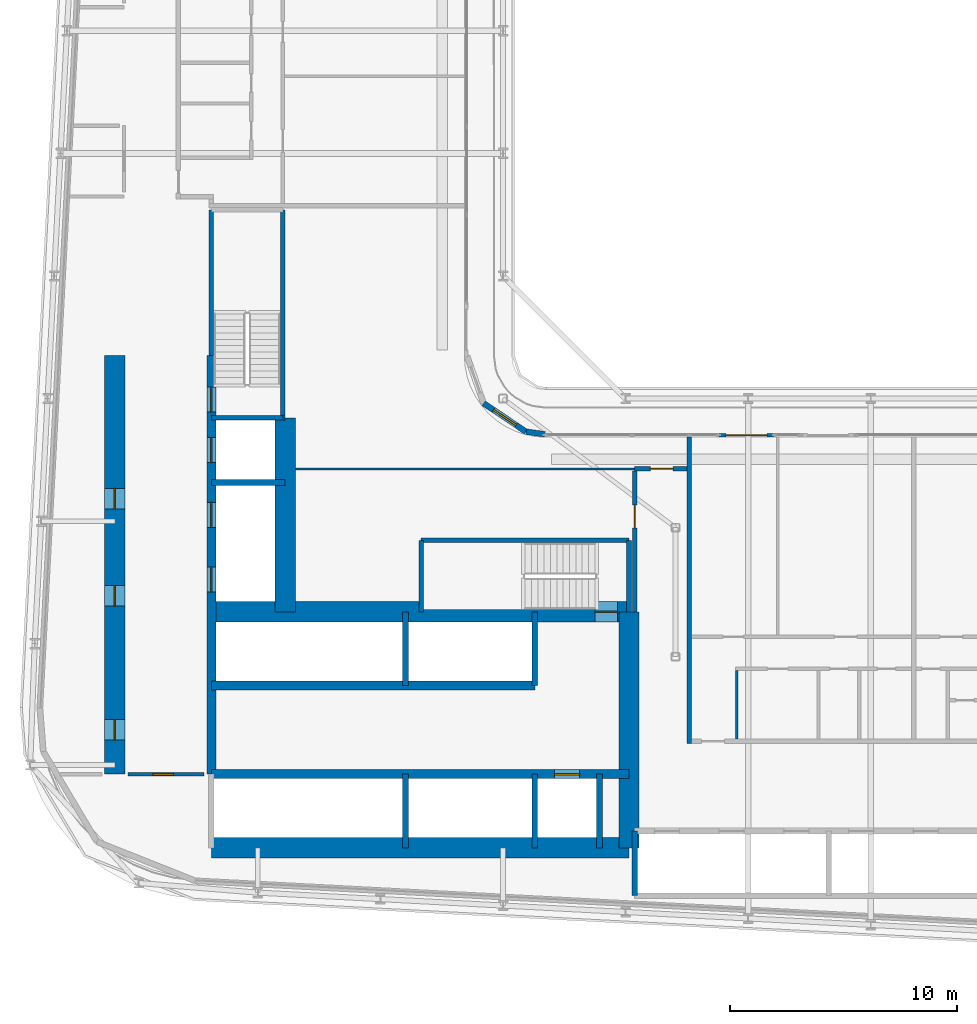
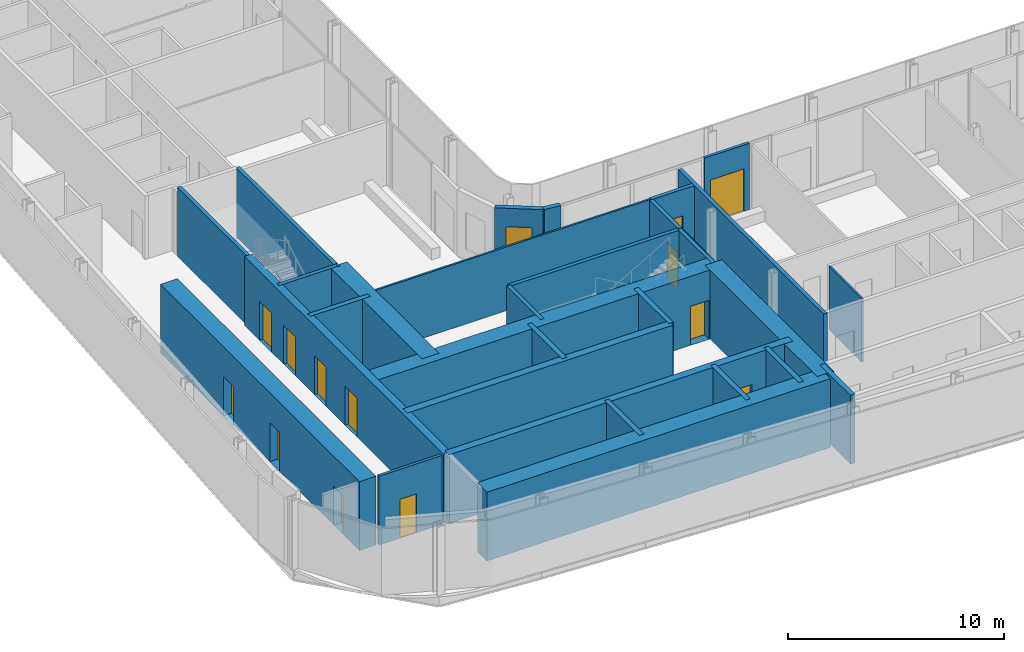
# One storey, part 13 of 28: 31 walls, 13 doors, 1 window, 14 openings.
"""IFC4 building model written with IfcOpenShell, lengths in metres."""

from ifc_helpers import new_model, si_unit, direction, frame, frame_2d, origin, place, context, subcontext, project, spatial, rectangle, extrude, source, transform, mapped, material, layer, layer_set, type_object, element, fill, save


model = new_model("IFC4")

# Units and contexts
model_context = context("Model", 3, precision=1e-05, world=origin(), true_north=direction((0.0, 1.0)))
body_context = subcontext(model_context, "Body", "Model", "MODEL_VIEW")
ifc_project = project(units=[si_unit("LENGTHUNIT", "METRE"), si_unit("AREAUNIT", "SQUARE_METRE"), si_unit("VOLUMEUNIT", "CUBIC_METRE"), si_unit("PLANEANGLEUNIT", "RADIAN"), si_unit("MASSUNIT", "GRAM", prefix="KILO")], contexts=[model_context])

# Site, building, storey
site_placement = place(None, origin())
site = spatial("IfcSite", under=ifc_project, at=site_placement, CompositionType="ELEMENT")
building_placement = place(site_placement, origin())
building = spatial("IfcBuilding", under=site, at=building_placement, Name="Kheshtan School and Residences Tower", CompositionType="ELEMENT")
storey_placement = place(building_placement, frame((0.0, 0.0, 129.199951171875)))
storey = spatial("IfcBuildingStorey", under=building, at=storey_placement, Name="L30", CompositionType="ELEMENT", Elevation=129.199951171875)

# Wall, opening, door
ifc_material_1 = material(Name="Concrete C50/60", Category="concrete")
ifc_layer_1 = layer(ifc_material_1, 0.39990234375)
ifc_layer_set_1 = layer_set([ifc_layer_1], Name="Core wall 400 Concrete C50/60")
wall_type_1 = type_object("IfcWallType", Name="Core wall 400 Concrete C50/60", PredefinedType="SHEAR", material=ifc_layer_set_1)
wall_1_placement = place(storey_placement, frame((34.75, 29.050048828125, 0.0), z_axis=(0.0, 0.0, 1.0), x_axis=(1.0, 0.0, 0.0)))
wall_1 = element("IfcWall", 1, at=wall_1_placement, inside=storey, type_object=wall_type_1, Name="Core wall CW-HALL-S1", PredefinedType="SHEAR", context=body_context, shape_type="SweptSolid", body=[
    extrude(rectangle(XDim=18.39990234375, YDim=0.39990234375, at=frame_2d((9.199951171875, 0.0))), origin(), (0.0, 0.0, 1.0), 3.900146484375),
])
opening_1_placement = place(wall_1_placement, frame((15.125, 0.0, 0.0)))
opening_1 = element("IfcOpeningElement", 2, at=opening_1_placement, cuts=wall_1, Name="Opening LD", PredefinedType="OPENING", context=body_context, shape_type="SweptSolid", body=[
    extrude(rectangle(XDim=1.10009765625, YDim=2.199951171875, at=frame_2d((0.550048828125, 1.10009765625))), frame((0.0, 0.2099609375, 0.0), z_axis=(0.0, -1.0, 0.0), x_axis=(1.0, 0.0, 0.0)), (0.0, 0.0, 1.0), 0.419921875),
])
ifc_material_2 = material(Name="Stainless steel door leaves", Category="steel")
door_type_1 = type_object("IfcDoorType", Name="Lift landing door 1100", OperationType="SLIDING_TO_LEFT", PredefinedType="DOOR", material=ifc_material_2)
shared_shape_1 = source(origin(), body_context, "Body", "SweptSolid", [
    extrude(rectangle(XDim=1.10009765625, YDim=2.199951171875, at=frame_2d((0.550048828125, 1.10009765625))), frame((0.0, 0.02490234375, 0.0), z_axis=(0.0, -1.0, 0.0), x_axis=(1.0, 0.0, 0.0)), (0.0, 0.0, 1.0), 0.050048828125),
])
door_1_placement = place(opening_1_placement, origin())
door_1 = element("IfcDoor", 3, at=door_1_placement, inside=storey, type_object=door_type_1, Name="Lift FFL2 landing door", OperationType="SLIDING_TO_LEFT", OverallHeight=2.199951171875, OverallWidth=1.10009765625, PredefinedType="DOOR", context=body_context, shape_type="MappedRepresentation", body=[
    mapped(shared_shape_1, transform((0.0, 0.0, 0.0), x_axis=(1.0, 0.0, 0.0), y_axis=(0.0, 1.0, 0.0), z_axis=(0.0, 0.0, 1.0), scale=1.0)),
])
fill(opening_1, door_1)

# Wall
wall_2_placement = place(storey_placement, frame((34.75, 32.949951171875, 0.0), z_axis=(0.0, 0.0, 1.0), x_axis=(1.0, 0.0, 0.0)))
element("IfcWall", 4, at=wall_2_placement, inside=storey, type_object=wall_type_1, Name="Core wall CW-HALL-S2", PredefinedType="SHEAR", context=body_context, shape_type="SweptSolid", body=[
    extrude(rectangle(XDim=14.25, YDim=0.39990234375, at=frame_2d((7.125, 0.0))), origin(), (0.0, 0.0, 1.0), 3.900146484375),
])

# Wall, openings, doors
wall_3_placement = place(storey_placement, frame((34.75, 29.050048828125, 0.0), z_axis=(0.0, 0.0, 1.0), x_axis=(0.0, 1.0, 0.0)))
wall_3 = element("IfcWall", 5, at=wall_3_placement, inside=storey, type_object=wall_type_1, Name="Core wall CW-HALL-W1", PredefinedType="SHEAR", context=body_context, shape_type="SweptSolid", body=[
    extrude(rectangle(XDim=18.449951171875, YDim=0.39990234375, at=frame_2d((9.22509765625, 0.0))), origin(), (0.0, 0.0, 1.0), 3.900146484375),
])
opening_2_placement = place(wall_3_placement, frame((8.02490234375, 0.0, 0.0)))
opening_2 = element("IfcOpeningElement", 6, at=opening_2_placement, cuts=wall_3, Name="Opening LD", PredefinedType="OPENING", context=body_context, shape_type="SweptSolid", body=[
    extrude(rectangle(XDim=1.10009765625, YDim=2.199951171875, at=frame_2d((0.550048828125, 1.10009765625))), frame((0.0, 0.2099609375, 0.0), z_axis=(0.0, -1.0, 0.0), x_axis=(1.0, 0.0, 0.0)), (0.0, 0.0, 1.0), 0.419921875),
])
opening_3_placement = place(wall_3_placement, frame((10.875, 0.0, 0.0)))
opening_3 = element("IfcOpeningElement", 7, at=opening_3_placement, cuts=wall_3, Name="Opening LD", PredefinedType="OPENING", context=body_context, shape_type="SweptSolid", body=[
    extrude(rectangle(XDim=1.10009765625, YDim=2.199951171875, at=frame_2d((0.550048828125, 1.10009765625))), frame((0.0, 0.2099609375, 0.0), z_axis=(0.0, -1.0, 0.0), x_axis=(1.0, 0.0, 0.0)), (0.0, 0.0, 1.0), 0.419921875),
])
opening_4_placement = place(wall_3_placement, frame((13.72509765625, 0.0, 0.0)))
opening_4 = element("IfcOpeningElement", 8, at=opening_4_placement, cuts=wall_3, Name="Opening LD", PredefinedType="OPENING", context=body_context, shape_type="SweptSolid", body=[
    extrude(rectangle(XDim=1.10009765625, YDim=2.199951171875, at=frame_2d((0.550048828125, 1.10009765625))), frame((0.0, 0.2099609375, 0.0), z_axis=(0.0, -1.0, 0.0), x_axis=(1.0, 0.0, 0.0)), (0.0, 0.0, 1.0), 0.419921875),
])
opening_5_placement = place(wall_3_placement, frame((15.949951171875, 0.0, 0.0)))
opening_5 = element("IfcOpeningElement", 9, at=opening_5_placement, cuts=wall_3, Name="Opening ST2D", PredefinedType="OPENING", context=body_context, shape_type="SweptSolid", body=[
    extrude(rectangle(XDim=1.10009765625, YDim=2.199951171875, at=frame_2d((0.550048828125, 1.10009765625))), frame((0.0, 0.2099609375, 0.0), z_axis=(0.0, -1.0, 0.0), x_axis=(1.0, 0.0, 0.0)), (0.0, 0.0, 1.0), 0.419921875),
])
door_2_placement = place(opening_2_placement, origin())
door_2 = element("IfcDoor", 10, at=door_2_placement, inside=storey, type_object=door_type_1, Name="Lift SV1 landing door", OperationType="SLIDING_TO_LEFT", OverallHeight=2.199951171875, OverallWidth=1.10009765625, PredefinedType="DOOR", context=body_context, shape_type="MappedRepresentation", body=[
    mapped(shared_shape_1, transform((0.0, 0.0, 0.0), x_axis=(1.0, 0.0, 0.0), y_axis=(0.0, 1.0, 0.0), z_axis=(0.0, 0.0, 1.0), scale=1.0)),
])
fill(opening_2, door_2)
door_3_placement = place(opening_3_placement, origin())
door_3 = element("IfcDoor", 11, at=door_3_placement, inside=storey, type_object=door_type_1, Name="Lift SV2 landing door", OperationType="SLIDING_TO_LEFT", OverallHeight=2.199951171875, OverallWidth=1.10009765625, PredefinedType="DOOR", context=body_context, shape_type="MappedRepresentation", body=[
    mapped(shared_shape_1, transform((0.0, 0.0, 0.0), x_axis=(1.0, 0.0, 0.0), y_axis=(0.0, 1.0, 0.0), z_axis=(0.0, 0.0, 1.0), scale=1.0)),
])
fill(opening_3, door_3)
door_4_placement = place(opening_4_placement, origin())
door_4 = element("IfcDoor", 12, at=door_4_placement, inside=storey, type_object=door_type_1, Name="Lift FFL1 landing door", OperationType="SLIDING_TO_LEFT", OverallHeight=2.199951171875, OverallWidth=1.10009765625, PredefinedType="DOOR", context=body_context, shape_type="MappedRepresentation", body=[
    mapped(shared_shape_1, transform((0.0, 0.0, 0.0), x_axis=(1.0, 0.0, 0.0), y_axis=(0.0, 1.0, 0.0), z_axis=(0.0, 0.0, 1.0), scale=1.0)),
])
fill(opening_4, door_4)
ifc_material_3 = material(Name="Steel door leaf, galvanised", Category="steel")
door_type_2 = type_object("IfcDoorType", Name="Stair door 1100 steel 90 min", OperationType="SINGLE_SWING_LEFT", PredefinedType="DOOR", material=ifc_material_3)
shared_shape_2 = source(origin(), body_context, "Body", "SweptSolid", [
    extrude(rectangle(XDim=1.10009765625, YDim=2.199951171875, at=frame_2d((0.550048828125, 1.10009765625))), frame((0.0, 0.02490234375, 0.0), z_axis=(0.0, -1.0, 0.0), x_axis=(1.0, 0.0, 0.0)), (0.0, 0.0, 1.0), 0.050048828125),
])
door_5_placement = place(opening_5_placement, origin())
door_5 = element("IfcDoor", 13, at=door_5_placement, inside=storey, type_object=door_type_2, Name="Stair ST2 door", OperationType="SINGLE_SWING_RIGHT", OverallHeight=2.199951171875, OverallWidth=1.10009765625, PredefinedType="DOOR", context=body_context, shape_type="MappedRepresentation", body=[
    mapped(shared_shape_2, transform((0.0, 0.0, 0.0), x_axis=(1.0, 0.0, 0.0), y_axis=(0.0, 1.0, 0.0), z_axis=(0.0, 0.0, 1.0), scale=1.0)),
])
fill(opening_5, door_5)

# Wall
ifc_material_4 = material(Name="Concrete C80/95", Category="concrete")
ifc_layer_2 = layer(ifc_material_4, 0.89990234375)
ifc_layer_set_2 = layer_set([ifc_layer_2], Name="Core wall 900 Concrete C80/95")
wall_type_2 = type_object("IfcWallType", Name="Core wall 900 Concrete C80/95", PredefinedType="SHEAR", material=ifc_layer_set_2)
wall_4_placement = place(storey_placement, frame((34.75, 25.800048828125, 0.0), z_axis=(0.0, 0.0, 1.0), x_axis=(1.0, 0.0, 0.0)))
element("IfcWall", 14, at=wall_4_placement, inside=storey, type_object=wall_type_2, Name="Core wall CW-REAR-S", PredefinedType="SHEAR", context=body_context, shape_type="SweptSolid", body=[
    extrude(rectangle(XDim=18.39990234375, YDim=0.89990234375, at=frame_2d((9.199951171875, 0.0))), origin(), (0.0, 0.0, 1.0), 3.900146484375),
])

# Wall, opening, door
wall_5_placement = place(storey_placement, frame((34.75, 36.199951171875, 0.0), z_axis=(0.0, 0.0, 1.0), x_axis=(1.0, 0.0, 0.0)))
wall_5 = element("IfcWall", 15, at=wall_5_placement, inside=storey, type_object=wall_type_2, Name="Core wall CW-FRONT-S", PredefinedType="SHEAR", context=body_context, shape_type="SweptSolid", body=[
    extrude(rectangle(XDim=18.39990234375, YDim=0.89990234375, at=frame_2d((9.199951171875, 0.0))), origin(), (0.0, 0.0, 1.0), 3.900146484375),
])
opening_6_placement = place(wall_5_placement, frame((16.89990234375, 0.0, 0.0)))
opening_6 = element("IfcOpeningElement", 16, at=opening_6_placement, cuts=wall_5, Name="Opening ST1D", PredefinedType="OPENING", context=body_context, shape_type="SweptSolid", body=[
    extrude(rectangle(XDim=1.0, YDim=2.199951171875, at=frame_2d((0.5, 1.10009765625))), frame((0.0, 0.4599609375, 0.0), z_axis=(0.0, -1.0, 0.0), x_axis=(1.0, 0.0, 0.0)), (0.0, 0.0, 1.0), 0.919921875),
])
shared_shape_3 = source(origin(), body_context, "Body", "SweptSolid", [
    extrude(rectangle(XDim=1.0, YDim=2.199951171875, at=frame_2d((0.5, 1.10009765625))), frame((0.0, 0.02490234375, 0.0), z_axis=(0.0, -1.0, 0.0), x_axis=(1.0, 0.0, 0.0)), (0.0, 0.0, 1.0), 0.050048828125),
])
door_6_placement = place(opening_6_placement, origin())
door_6 = element("IfcDoor", 17, at=door_6_placement, inside=storey, type_object=door_type_2, Name="Stair ST1 door", OperationType="SINGLE_SWING_RIGHT", OverallHeight=2.199951171875, OverallWidth=1.0, PredefinedType="DOOR", context=body_context, shape_type="MappedRepresentation", body=[
    mapped(shared_shape_3, transform((0.0, 0.0, 0.0), x_axis=(1.0, 0.0, 0.0), y_axis=(0.0, 1.0, 0.0), z_axis=(0.0, 0.0, 1.0), scale=1.0)),
])
fill(opening_6, door_6)

# Wall
wall_6_placement = place(storey_placement, frame((38.0, 36.199951171875, 0.0), z_axis=(0.0, 0.0, 1.0), x_axis=(0.0, 1.0, 0.0)))
element("IfcWall", 18, at=wall_6_placement, inside=storey, type_object=wall_type_2, Name="Core wall CW-FRONT-W", PredefinedType="SHEAR", context=body_context, shape_type="SweptSolid", body=[
    extrude(rectangle(XDim=8.550048828125, YDim=0.89990234375, at=frame_2d((4.27490234375, 0.0))), origin(), (0.0, 0.0, 1.0), 3.900146484375),
])

# Wall, openings, doors
wall_7_placement = place(storey_placement, frame((30.5, 29.050048828125, 0.0), z_axis=(0.0, 0.0, 1.0), x_axis=(0.0, 1.0, 0.0)))
wall_7 = element("IfcWall", 19, at=wall_7_placement, inside=storey, type_object=wall_type_2, Name="Core wall CW-REAR-W", PredefinedType="SHEAR", context=body_context, shape_type="SweptSolid", body=[
    extrude(rectangle(XDim=18.449951171875, YDim=0.89990234375, at=frame_2d((9.22509765625, 0.0))), origin(), (0.0, 0.0, 1.0), 3.900146484375),
])
opening_7_placement = place(wall_7_placement, frame((1.5, 0.0, 0.0)))
opening_7 = element("IfcOpeningElement", 20, at=opening_7_placement, cuts=wall_7, Name="Opening SR90", PredefinedType="OPENING", context=body_context, shape_type="SweptSolid", body=[
    extrude(rectangle(XDim=0.89990234375, YDim=2.199951171875, at=frame_2d((0.449951171875, 1.10009765625))), frame((0.0, 0.4599609375, 0.0), z_axis=(0.0, -1.0, 0.0), x_axis=(1.0, 0.0, 0.0)), (0.0, 0.0, 1.0), 0.919921875),
])
opening_8_placement = place(wall_7_placement, frame((7.406005859375, 0.0, 0.0)))
opening_8 = element("IfcOpeningElement", 21, at=opening_8_placement, cuts=wall_7, Name="Opening SR90", PredefinedType="OPENING", context=body_context, shape_type="SweptSolid", body=[
    extrude(rectangle(XDim=0.89990234375, YDim=2.199951171875, at=frame_2d((0.449951171875, 1.10009765625))), frame((0.0, 0.4599609375, 0.0), z_axis=(0.0, -1.0, 0.0), x_axis=(1.0, 0.0, 0.0)), (0.0, 0.0, 1.0), 0.919921875),
])
opening_9_placement = place(wall_7_placement, frame((11.68798828125, 0.0, 0.0)))
opening_9 = element("IfcOpeningElement", 22, at=opening_9_placement, cuts=wall_7, Name="Opening SR90", PredefinedType="OPENING", context=body_context, shape_type="SweptSolid", body=[
    extrude(rectangle(XDim=0.89990234375, YDim=2.199951171875, at=frame_2d((0.449951171875, 1.10009765625))), frame((0.0, 0.4599609375, 0.0), z_axis=(0.0, -1.0, 0.0), x_axis=(1.0, 0.0, 0.0)), (0.0, 0.0, 1.0), 0.919921875),
])
door_type_3 = type_object("IfcDoorType", Name="Service room door 900 steel 90 min", OperationType="SINGLE_SWING_LEFT", PredefinedType="DOOR", material=ifc_material_3)
shared_shape_4 = source(origin(), body_context, "Body", "SweptSolid", [
    extrude(rectangle(XDim=0.89990234375, YDim=2.199951171875, at=frame_2d((0.449951171875, 1.10009765625))), frame((0.0, 0.02490234375, 0.0), z_axis=(0.0, -1.0, 0.0), x_axis=(1.0, 0.0, 0.0)), (0.0, 0.0, 1.0), 0.050048828125),
])
door_7_placement = place(opening_7_placement, origin())
door_7 = element("IfcDoor", 23, at=door_7_placement, inside=storey, type_object=door_type_3, Name="Service room door", OperationType="SINGLE_SWING_LEFT", OverallHeight=2.199951171875, OverallWidth=0.89990234375, PredefinedType="DOOR", context=body_context, shape_type="MappedRepresentation", body=[
    mapped(shared_shape_4, transform((0.0, 0.0, 0.0), x_axis=(1.0, 0.0, 0.0), y_axis=(0.0, 1.0, 0.0), z_axis=(0.0, 0.0, 1.0), scale=1.0)),
])
fill(opening_7, door_7)
door_8_placement = place(opening_8_placement, origin())
door_8 = element("IfcDoor", 24, at=door_8_placement, inside=storey, type_object=door_type_3, Name="Service room door", OperationType="SINGLE_SWING_RIGHT", OverallHeight=2.199951171875, OverallWidth=0.89990234375, PredefinedType="DOOR", context=body_context, shape_type="MappedRepresentation", body=[
    mapped(shared_shape_4, transform((0.0, 0.0, 0.0), x_axis=(1.0, 0.0, 0.0), y_axis=(0.0, 1.0, 0.0), z_axis=(0.0, 0.0, 1.0), scale=1.0)),
])
fill(opening_8, door_8)
door_9_placement = place(opening_9_placement, origin())
door_9 = element("IfcDoor", 25, at=door_9_placement, inside=storey, type_object=door_type_3, Name="Service room door", OperationType="SINGLE_SWING_LEFT", OverallHeight=2.199951171875, OverallWidth=0.89990234375, PredefinedType="DOOR", context=body_context, shape_type="MappedRepresentation", body=[
    mapped(shared_shape_4, transform((0.0, 0.0, 0.0), x_axis=(1.0, 0.0, 0.0), y_axis=(0.0, 1.0, 0.0), z_axis=(0.0, 0.0, 1.0), scale=1.0)),
])
fill(opening_9, door_9)

# Wall
wall_8_placement = place(storey_placement, frame((53.14990234375, 25.800048828125, 0.0), z_axis=(0.0, 0.0, 1.0), x_axis=(0.0, 1.0, 0.0)))
element("IfcWall", 26, at=wall_8_placement, inside=storey, type_object=wall_type_2, Name="Core wall CW-EAST", PredefinedType="SHEAR", context=body_context, shape_type="SweptSolid", body=[
    extrude(rectangle(XDim=10.39990234375, YDim=0.89990234375, at=frame_2d((5.199951171875, 0.0))), origin(), (0.0, 0.0, 1.0), 3.900146484375),
])

# Wall, opening, door
ifc_material_5 = material(Name="Gypsum board on steel studs with fire boards", Category="steel")
ifc_layer_3 = layer(ifc_material_5, 0.199951171875)
ifc_layer_set_3 = layer_set([ifc_layer_3], Name="Corridor wall 200")
wall_type_3 = type_object("IfcWallType", Name="Corridor wall 200", PredefinedType="PARTITIONING", material=ifc_layer_set_3)
wall_9_placement = place(storey_placement, frame((53.39990234375, 36.198974609375, 0.0), z_axis=(0.0, 0.0, 1.0), x_axis=(0.0, 1.0, 0.0)))
wall_9 = element("IfcWall", 27, at=wall_9_placement, inside=storey, type_object=wall_type_3, Name="Partition L30-044", PredefinedType="PARTITIONING", context=body_context, shape_type="SweptSolid", body=[
    extrude(rectangle(XDim=6.200927734375, YDim=0.199951171875, at=frame_2d((3.1005859375, 0.0))), origin(), (0.0, 0.0, 1.0), 3.60009765625),
])
opening_10_placement = place(wall_9_placement, frame((3.70703125, 0.0, 0.0)))
opening_10 = element("IfcOpeningElement", 28, at=opening_10_placement, cuts=wall_9, Name="Opening D29-063", PredefinedType="OPENING", context=body_context, shape_type="SweptSolid", body=[
    extrude(rectangle(XDim=1.0, YDim=2.10009765625, at=frame_2d((0.5, 1.050048828125))), frame((0.0, 0.10986328125, 0.0), z_axis=(0.0, -1.0, 0.0), x_axis=(1.0, 0.0, 0.0)), (0.0, 0.0, 1.0), 0.219970703125),
])
ifc_material_6 = material(Name="Steel-framed fire-resisting door leaf", Category="steel")
door_type_4 = type_object("IfcDoorType", Name="Fire door FD60 1000 x 2100", OperationType="SINGLE_SWING_LEFT", PredefinedType="DOOR", material=ifc_material_6)
shared_shape_5 = source(origin(), body_context, "Body", "SweptSolid", [
    extrude(rectangle(XDim=1.0, YDim=2.10009765625, at=frame_2d((0.5, 1.050048828125))), frame((0.0, 0.02490234375, 0.0), z_axis=(0.0, -1.0, 0.0), x_axis=(1.0, 0.0, 0.0)), (0.0, 0.0, 1.0), 0.050048828125),
])
door_10_placement = place(opening_10_placement, origin())
door_10 = element("IfcDoor", 29, at=door_10_placement, inside=storey, type_object=door_type_4, Name="Door D29-063", OperationType="SINGLE_SWING_LEFT", OverallHeight=2.10009765625, OverallWidth=1.0, PredefinedType="DOOR", context=body_context, shape_type="MappedRepresentation", body=[
    mapped(shared_shape_5, transform((0.0, 0.0, 0.0), x_axis=(1.0, 0.0, 0.0), y_axis=(0.0, 1.0, 0.0), z_axis=(0.0, 0.0, 1.0), scale=1.0)),
])
fill(opening_10, door_10)

wall_10_placement = place(storey_placement, frame((53.39990234375, 42.5, 0.0), z_axis=(0.0, 0.0, 1.0), x_axis=(1.0, 0.0, 0.0)))
wall_10 = element("IfcWall", 30, at=wall_10_placement, inside=storey, type_object=wall_type_3, Name="Partition L30-045", PredefinedType="PARTITIONING", context=body_context, shape_type="SweptSolid", body=[
    extrude(rectangle(XDim=2.300048828125, YDim=0.199951171875, at=frame_2d((1.14990234375, 0.0))), origin(), (0.0, 0.0, 1.0), 3.60009765625),
])
opening_11_placement = place(wall_10_placement, frame((0.695068359375, 0.0, 0.0)))
opening_11 = element("IfcOpeningElement", 31, at=opening_11_placement, cuts=wall_10, Name="Opening D29-064", PredefinedType="OPENING", context=body_context, shape_type="SweptSolid", body=[
    extrude(rectangle(XDim=1.0, YDim=2.10009765625, at=frame_2d((0.5, 1.050048828125))), frame((0.0, 0.10986328125, 0.0), z_axis=(0.0, -1.0, 0.0), x_axis=(1.0, 0.0, 0.0)), (0.0, 0.0, 1.0), 0.219970703125),
])
door_11_placement = place(opening_11_placement, origin())
door_11 = element("IfcDoor", 32, at=door_11_placement, inside=storey, type_object=door_type_4, Name="Door D29-064", OperationType="SINGLE_SWING_RIGHT", OverallHeight=2.10009765625, OverallWidth=1.0, PredefinedType="DOOR", context=body_context, shape_type="MappedRepresentation", body=[
    mapped(shared_shape_5, transform((0.0, 0.0, 0.0), x_axis=(1.0, 0.0, 0.0), y_axis=(0.0, 1.0, 0.0), z_axis=(0.0, 0.0, 1.0), scale=1.0)),
])
fill(opening_11, door_11)

# Wall, opening, window
ifc_material_7 = material(Name="Concrete C40/50 with ceramic cladding and mineral wool insulation", Category="concrete")
ifc_layer_4 = layer(ifc_material_7, 0.25)
ifc_layer_set_4 = layer_set([ifc_layer_4], Name="External wall 250 ceramic clad")
wall_type_4 = type_object("IfcWallType", Name="External wall 250 ceramic clad", PredefinedType="SOLIDWALL", material=ifc_layer_set_4)
wall_11_placement = place(storey_placement, frame((46.742919921875, 45.388916015625, 0.0), z_axis=(0.0, 0.0, 1.0), x_axis=(0.831449265529, -0.555600682912, 0.0)))
wall_11 = element("IfcWall", 33, at=wall_11_placement, inside=storey, type_object=wall_type_4, Name="External wall L30 10", PredefinedType="SOLIDWALL", context=body_context, shape_type="SweptSolid", body=[
    extrude(rectangle(XDim=2.25146484375, YDim=0.25, at=frame_2d((1.125732421875, 0.0))), origin(), (0.0, 0.0, 1.0), 3.75),
])
opening_12_placement = place(wall_11_placement, frame((0.52490234375, 0.0, 0.60009765625)))
opening_12 = element("IfcOpeningElement", 34, at=opening_12_placement, cuts=wall_11, Name="Opening WN-E", PredefinedType="OPENING", context=body_context, shape_type="SweptSolid", body=[
    extrude(rectangle(XDim=1.199951171875, YDim=2.10009765625, at=frame_2d((0.60009765625, 1.050048828125))), frame((0.0, 0.135009765625, 0.0), z_axis=(0.0, -1.0, 0.0), x_axis=(1.0, 0.0, 0.0)), (0.0, 0.0, 1.0), 0.27001953125),
])
ifc_material_8 = material(Name="Clear low-e glass in thermally broken aluminium frame", Category="aluminium")
window_type = type_object("IfcWindowType", Name="Window WN-E", PartitioningType="SINGLE_PANEL", PredefinedType="WINDOW", material=ifc_material_8)
shared_shape_6 = source(origin(), body_context, "Body", "SweptSolid", [
    extrude(rectangle(XDim=1.199951171875, YDim=2.10009765625, at=frame_2d((0.60009765625, 1.050048828125))), frame((0.0, 0.030029296875, 0.0), z_axis=(0.0, -1.0, 0.0), x_axis=(1.0, 0.0, 0.0)), (0.0, 0.0, 1.0), 0.06005859375),
])
window_placement = place(opening_12_placement, origin())
window = element("IfcWindow", 35, at=window_placement, inside=storey, type_object=window_type, Name="Window L30 10", OverallHeight=2.10009765625, OverallWidth=1.199951171875, PartitioningType="SINGLE_PANEL", PredefinedType="WINDOW", context=body_context, shape_type="MappedRepresentation", body=[
    mapped(shared_shape_6, transform((0.0, 0.0, 0.0), x_axis=(1.0, 0.0, 0.0), y_axis=(0.0, 1.0, 0.0), z_axis=(0.0, 0.0, 1.0), scale=1.0)),
])
fill(opening_12, window)

# Wall
wall_12_placement = place(storey_placement, frame((48.614990234375, 44.137939453125, 0.0), z_axis=(0.0, 0.0, 1.0), x_axis=(0.990741504246, -0.135761819977, 0.0)))
element("IfcWall", 36, at=wall_12_placement, inside=storey, type_object=wall_type_4, Name="External wall L30 11", PredefinedType="SOLIDWALL", context=body_context, shape_type="SweptSolid", body=[
    extrude(rectangle(XDim=0.83984375, YDim=0.25, at=frame_2d((0.419921875, 0.0))), origin(), (0.0, 0.0, 1.0), 3.75),
])

# Wall, opening, door
ifc_material_9 = material(Name="Aluminium frame wall with insulated infill", Category="aluminium")
ifc_layer_5 = layer(ifc_material_9, 0.14990234375)
ifc_layer_set_5 = layer_set([ifc_layer_5], Name="Glazing frame wall 150")
wall_type_5 = type_object("IfcWallType", Name="Glazing frame wall 150", PredefinedType="SOLIDWALL", material=ifc_layer_set_5)
wall_13_placement = place(storey_placement, frame((57.1240234375, 43.97509765625, 0.0), z_axis=(0.0, 0.0, 1.0), x_axis=(1.0, 0.0, 0.0)))
wall_13 = element("IfcWall", 37, at=wall_13_placement, inside=storey, type_object=wall_type_5, Name="Balcony door wall L30 12.1", PredefinedType="SOLIDWALL", context=body_context, shape_type="SweptSolid", body=[
    extrude(rectangle(XDim=2.39990234375, YDim=0.14990234375, at=frame_2d((1.199951171875, 0.0))), origin(), (0.0, 0.0, 1.0), 3.75),
])
opening_13_placement = place(wall_13_placement, frame((0.300048828125, 0.0, 0.0)))
opening_13 = element("IfcOpeningElement", 38, at=opening_13_placement, cuts=wall_13, Name="Opening BD", PredefinedType="OPENING", context=body_context, shape_type="SweptSolid", body=[
    extrude(rectangle(XDim=1.800048828125, YDim=2.39990234375, at=frame_2d((0.89990234375, 1.199951171875))), frame((0.0, 0.0849609375, 0.0), z_axis=(0.0, -1.0, 0.0), x_axis=(1.0, 0.0, 0.0)), (0.0, 0.0, 1.0), 0.169921875),
])
door_type_5 = type_object("IfcDoorType", Name="Balcony sliding door", OperationType="SLIDING_TO_LEFT", PredefinedType="DOOR", material=ifc_material_8)
shared_shape_7 = source(origin(), body_context, "Body", "SweptSolid", [
    extrude(rectangle(XDim=1.800048828125, YDim=2.39990234375, at=frame_2d((0.89990234375, 1.199951171875))), frame((0.0, 0.02490234375, 0.0), z_axis=(0.0, -1.0, 0.0), x_axis=(1.0, 0.0, 0.0)), (0.0, 0.0, 1.0), 0.050048828125),
])
door_12_placement = place(opening_13_placement, origin())
door_12 = element("IfcDoor", 39, at=door_12_placement, inside=storey, type_object=door_type_5, Name="Balcony door L30 12.1", OperationType="SLIDING_TO_LEFT", OverallHeight=2.39990234375, OverallWidth=1.800048828125, PredefinedType="DOOR", context=body_context, shape_type="MappedRepresentation", body=[
    mapped(shared_shape_7, transform((0.0, 0.0, 0.0), x_axis=(1.0, 0.0, 0.0), y_axis=(0.0, 1.0, 0.0), z_axis=(0.0, 0.0, 1.0), scale=1.0)),
])
fill(opening_13, door_12)

# Walls
ifc_material_10 = material(Name="Gypsum board on steel studs", Category="steel")
ifc_layer_6 = layer(ifc_material_10, 0.10009765625)
ifc_layer_set_6 = layer_set([ifc_layer_6], Name="Gypsum partition 100")
wall_type_6 = type_object("IfcWallType", Name="Gypsum partition 100", PredefinedType="PARTITIONING", material=ifc_layer_set_6)
wall_14_placement = place(storey_placement, frame((38.448974609375, 42.5, 0.0), z_axis=(0.0, 0.0, 1.0), x_axis=(1.0, 0.0, 0.0)))
element("IfcWall", 40, at=wall_14_placement, inside=storey, type_object=wall_type_6, Name="Partition L30-042", PredefinedType="PARTITIONING", context=body_context, shape_type="SweptSolid", body=[
    extrude(rectangle(XDim=14.950927734375, YDim=0.10009765625, at=frame_2d((7.4755859375, 0.0))), origin(), (0.0, 0.0, 1.0), 3.60009765625),
])
wall_15_placement = place(storey_placement, frame((57.89990234375, 30.60009765625, 0.0), z_axis=(0.0, 0.0, 1.0), x_axis=(0.0, 1.0, 0.0)))
element("IfcWall", 41, at=wall_15_placement, inside=storey, type_object=wall_type_6, Name="Partition L30-050", PredefinedType="PARTITIONING", context=body_context, shape_type="SweptSolid", body=[
    extrude(rectangle(XDim=3.02490234375, YDim=0.10009765625, at=frame_2d((1.512451171875, 0.0))), origin(), (0.0, 0.0, 1.0), 3.60009765625),
])

# Wall, opening, door
ifc_material_11 = material(Name="Fire-board shaft wall system")
ifc_layer_7 = layer(ifc_material_11, 0.14990234375)
ifc_layer_set_7 = layer_set([ifc_layer_7], Name="Service room wall 150")
wall_type_7 = type_object("IfcWallType", Name="Service room wall 150", PredefinedType="PARTITIONING", material=ifc_layer_set_7)
wall_16_placement = place(storey_placement, frame((31.070068359375, 29.050048828125, 0.0), z_axis=(0.0, 0.0, 1.0), x_axis=(1.0, 0.0, 0.0)))
wall_16 = element("IfcWall", 42, at=wall_16_placement, inside=storey, type_object=wall_type_7, Name="Service room wall", PredefinedType="PARTITIONING", context=body_context, shape_type="SweptSolid", body=[
    extrude(rectangle(XDim=3.35986328125, YDim=0.14990234375, at=frame_2d((1.679931640625, 0.0))), origin(), (0.0, 0.0, 1.0), 3.900146484375),
])
opening_14_placement = place(wall_16_placement, frame((1.10498046875, 0.0, 0.0)))
opening_14 = element("IfcOpeningElement", 43, at=opening_14_placement, cuts=wall_16, Name="Opening SR90", PredefinedType="OPENING", context=body_context, shape_type="SweptSolid", body=[
    extrude(rectangle(XDim=0.89990234375, YDim=2.199951171875, at=frame_2d((0.449951171875, 1.10009765625))), frame((0.0, 0.0849609375, 0.0), z_axis=(0.0, -1.0, 0.0), x_axis=(1.0, 0.0, 0.0)), (0.0, 0.0, 1.0), 0.169921875),
])
door_13_placement = place(opening_14_placement, origin())
door_13 = element("IfcDoor", 44, at=door_13_placement, inside=storey, type_object=door_type_3, Name="Service room door", OperationType="SINGLE_SWING_RIGHT", OverallHeight=2.199951171875, OverallWidth=0.89990234375, PredefinedType="DOOR", context=body_context, shape_type="MappedRepresentation", body=[
    mapped(shared_shape_4, transform((0.0, 0.0, 0.0), x_axis=(1.0, 0.0, 0.0), y_axis=(0.0, 1.0, 0.0), z_axis=(0.0, 0.0, 1.0), scale=1.0)),
])
fill(opening_14, door_13)

# Walls
ifc_layer_8 = layer(ifc_material_11, 0.25)
ifc_layer_set_8 = layer_set([ifc_layer_8], Name="Shaft lining wall 250")
wall_type_8 = type_object("IfcWallType", Name="Shaft lining wall 250", PredefinedType="PARTITIONING", material=ifc_layer_set_8)
for number, where, z_axis, x_axis, name in (
    (45, (43.300048828125, 25.800048828125, 0.0), (0.0, 0.0, 1.0), (0.0, 1.0, 0.0), "Shaft lining wall"),
    (46, (43.300048828125, 32.949951171875, 0.0), (0.0, 0.0, 1.0), (0.0, 1.0, 0.0), "Shaft lining wall"),
    (47, (49.0, 25.800048828125, 0.0), (0.0, 0.0, 1.0), (0.0, 1.0, 0.0), "Shaft lining wall"),
    (48, (49.0, 32.949951171875, 0.0), (0.0, 0.0, 1.0), (0.0, 1.0, 0.0), "Shaft lining wall"),
    (49, (51.85009765625, 25.800048828125, 0.0), (0.0, 0.0, 1.0), (0.0, 1.0, 0.0), "Shaft lining wall"),
):
    element("IfcWall", number, at=place(storey_placement, frame(where, z_axis=z_axis, x_axis=x_axis)), inside=storey, type_object=wall_type_8, Name=name, PredefinedType="PARTITIONING", context=body_context, shape_type="SweptSolid", body=[
        extrude(rectangle(XDim=3.25, YDim=0.25, at=frame_2d((1.625, 0.0))), origin(), (0.0, 0.0, 1.0), 3.900146484375),
    ])
wall_17_placement = place(storey_placement, frame((53.39990234375, 23.699951171875, 0.0), z_axis=(0.0, 0.0, 1.0), x_axis=(0.0, 1.0, 0.0)))
element("IfcWall", 50, at=wall_17_placement, inside=storey, type_object=wall_type_8, Name="Shaft lining wall", PredefinedType="PARTITIONING", context=body_context, shape_type="SweptSolid", body=[
    extrude(rectangle(XDim=2.85009765625, YDim=0.25, at=frame_2d((1.425048828125, 0.0))), origin(), (0.0, 0.0, 1.0), 3.900146484375),
])
wall_18_placement = place(storey_placement, frame((34.75, 41.89990234375, 0.0), z_axis=(0.0, 0.0, 1.0), x_axis=(1.0, 0.0, 0.0)))
element("IfcWall", 51, at=wall_18_placement, inside=storey, type_object=wall_type_8, Name="Shaft lining wall", PredefinedType="PARTITIONING", context=body_context, shape_type="SweptSolid", body=[
    extrude(rectangle(XDim=3.25, YDim=0.25, at=frame_2d((1.625, 0.0))), origin(), (0.0, 0.0, 1.0), 3.900146484375),
])
wall_19_placement = place(storey_placement, frame((37.89990234375, 44.75, 0.0), z_axis=(0.0, 0.0, 1.0), x_axis=(1.0, 0.0, 0.0)))
element("IfcWall", 52, at=wall_19_placement, inside=storey, type_object=wall_type_8, Name="Shaft lining wall", PredefinedType="PARTITIONING", context=body_context, shape_type="SweptSolid", body=[
    extrude(rectangle(XDim=0.10009765625, YDim=0.25, at=frame_2d((0.050048828125, 0.0))), origin(), (0.0, 0.0, 1.0), 3.900146484375),
])
ifc_material_12 = material(Name="Concrete C40/50", Category="concrete")
ifc_layer_9 = layer(ifc_material_12, 0.199951171875)
ifc_layer_set_9 = layer_set([ifc_layer_9], Name="Stair enclosure wall 200 Concrete C40/50")
wall_type_9 = type_object("IfcWallType", Name="Stair enclosure wall 200 Concrete C40/50", PredefinedType="SHEAR", material=ifc_layer_set_9)
wall_20_placement = place(storey_placement, frame((43.989990234375, 39.35009765625, 0.0), z_axis=(0.0, 0.0, 1.0), x_axis=(1.0, 0.0, 0.0)))
element("IfcWall", 53, at=wall_20_placement, inside=storey, type_object=wall_type_9, Name="Stair enclosure wall ST1", PredefinedType="SHEAR", context=body_context, shape_type="SweptSolid", body=[
    extrude(rectangle(XDim=9.159912109375, YDim=0.199951171875, at=frame_2d((4.580078125, 0.0))), origin(), (0.0, 0.0, 1.0), 3.900146484375),
])
for number, where, z_axis, x_axis, name in (
    (54, (43.989990234375, 36.199951171875, 0.0), (0.0, 0.0, 1.0), (0.0, 1.0, 0.0), "Stair enclosure wall ST1"),
    (55, (53.14990234375, 36.199951171875, 0.0), (0.0, 0.0, 1.0), (0.0, 1.0, 0.0), "Stair enclosure wall ST1"),
):
    element("IfcWall", number, at=place(storey_placement, frame(where, z_axis=z_axis, x_axis=x_axis)), inside=storey, type_object=wall_type_9, Name=name, PredefinedType="SHEAR", context=body_context, shape_type="SweptSolid", body=[
        extrude(rectangle(XDim=3.150146484375, YDim=0.199951171875, at=frame_2d((1.5751953125, 0.0))), origin(), (0.0, 0.0, 1.0), 3.900146484375),
    ])
wall_21_placement = place(storey_placement, frame((34.75, 44.75, 0.0), z_axis=(0.0, 0.0, 1.0), x_axis=(1.0, 0.0, 0.0)))
element("IfcWall", 56, at=wall_21_placement, inside=storey, type_object=wall_type_9, Name="Stair enclosure wall ST2", PredefinedType="SHEAR", context=body_context, shape_type="SweptSolid", body=[
    extrude(rectangle(XDim=3.14990234375, YDim=0.199951171875, at=frame_2d((1.574951171875, 0.0))), origin(), (0.0, 0.0, 1.0), 3.900146484375),
])
wall_22_placement = place(storey_placement, frame((34.75, 47.5, 0.0), z_axis=(0.0, 0.0, 1.0), x_axis=(0.0, 1.0, 0.0)))
element("IfcWall", 57, at=wall_22_placement, inside=storey, type_object=wall_type_9, Name="Stair enclosure wall ST2", PredefinedType="SHEAR", context=body_context, shape_type="SweptSolid", body=[
    extrude(rectangle(XDim=6.409912109375, YDim=0.199951171875, at=frame_2d((3.205078125, 0.0))), origin(), (0.0, 0.0, 1.0), 3.900146484375),
])
wall_23_placement = place(storey_placement, frame((37.89990234375, 44.75, 0.0), z_axis=(0.0, 0.0, 1.0), x_axis=(0.0, 1.0, 0.0)))
element("IfcWall", 58, at=wall_23_placement, inside=storey, type_object=wall_type_9, Name="Stair enclosure wall ST2", PredefinedType="SHEAR", context=body_context, shape_type="SweptSolid", body=[
    extrude(rectangle(XDim=9.159912109375, YDim=0.199951171875, at=frame_2d((4.580078125, 0.0))), origin(), (0.0, 0.0, 1.0), 3.900146484375),
])
ifc_material_13 = material(Name="Twin gypsum board on steel studs with mineral wool", Category="steel")
ifc_layer_10 = layer(ifc_material_13, 0.199951171875)
ifc_layer_set_10 = layer_set([ifc_layer_10], Name="Unit demising wall 200")
wall_type_10 = type_object("IfcWallType", Name="Unit demising wall 200", PredefinedType="PARTITIONING", material=ifc_layer_set_10)
wall_24_placement = place(storey_placement, frame((55.800048828125, 30.39990234375, 0.0), z_axis=(0.0, 0.0, 1.0), x_axis=(0.0, 1.0, 0.0)))
element("IfcWall", 59, at=wall_24_placement, inside=storey, type_object=wall_type_10, Name="Partition L30-046", PredefinedType="PARTITIONING", context=body_context, shape_type="SweptSolid", body=[
    extrude(rectangle(XDim=13.5, YDim=0.199951171875, at=frame_2d((6.75, 0.0))), origin(), (0.0, 0.0, 1.0), 3.60009765625),
])

save(model, "model.ifc")
